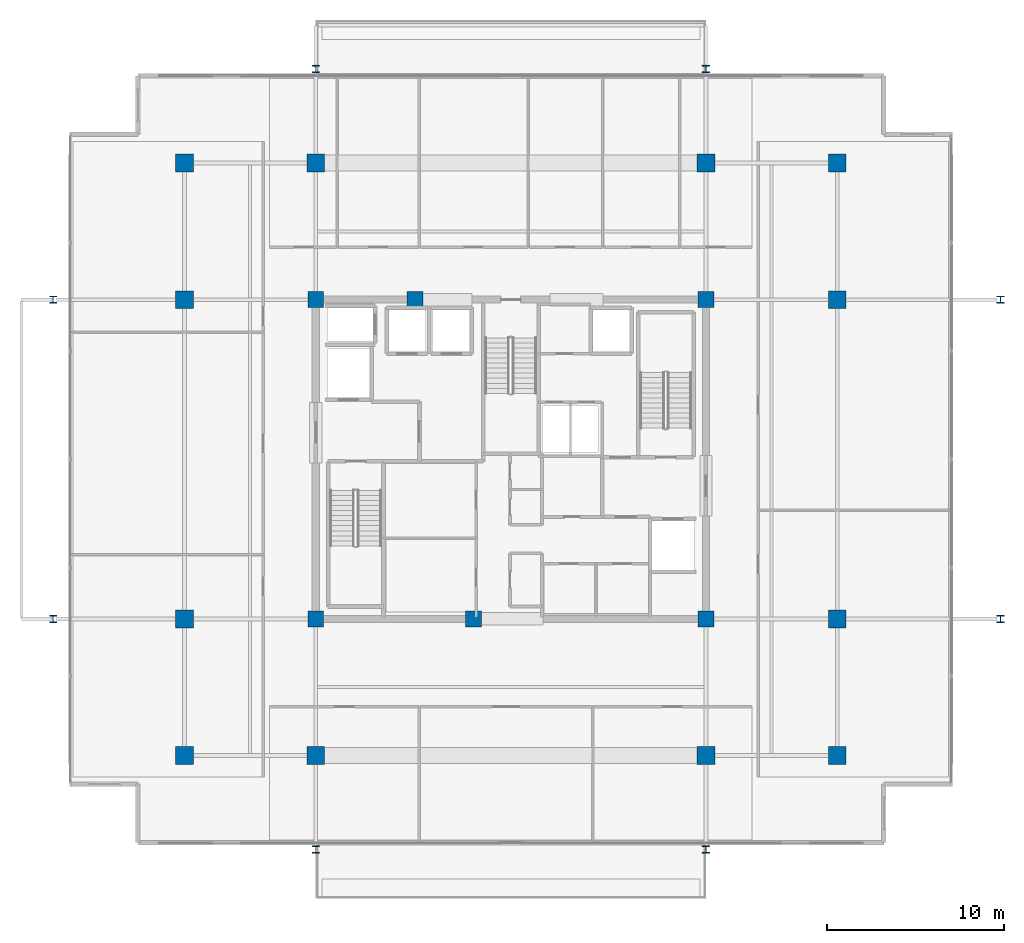
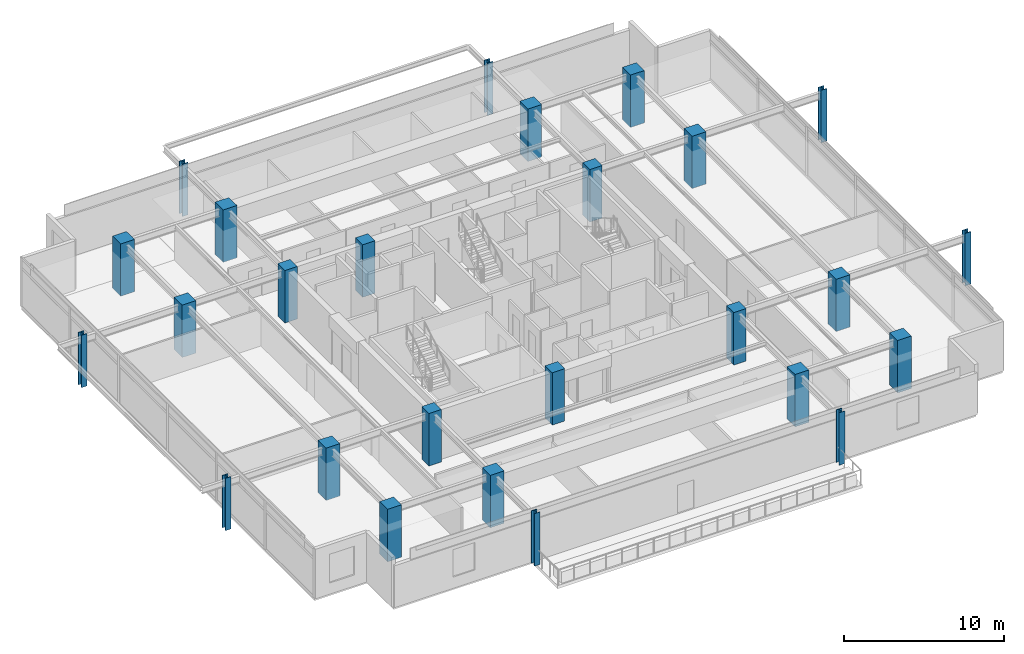
# One storey, part 1 of 21: 26 columns.
"""IFC4 building model written with IfcOpenShell, lengths in metres."""

from ifc_helpers import new_model, si_unit, direction, frame, origin, origin_2d, place, context, subcontext, project, spatial, rectangle, i_section, extrude, material, material_profile, profile_set, type_object, element, save


model = new_model("IFC4")

# Units and contexts
model_context = context("Model", 3, precision=1e-05, world=origin(), true_north=direction((0.0, 1.0)))
body_context = subcontext(model_context, "Body", "Model", "MODEL_VIEW")
ifc_project = project(units=[si_unit("LENGTHUNIT", "METRE"), si_unit("AREAUNIT", "SQUARE_METRE"), si_unit("VOLUMEUNIT", "CUBIC_METRE"), si_unit("PLANEANGLEUNIT", "RADIAN"), si_unit("MASSUNIT", "GRAM", prefix="KILO")], contexts=[model_context])

# Site, building, storey
site_placement = place(None, origin())
site = spatial("IfcSite", under=ifc_project, at=site_placement, CompositionType="ELEMENT")
building_placement = place(site_placement, origin())
building = spatial("IfcBuilding", under=site, at=building_placement, Name="Kovane Verandah Tower", CompositionType="ELEMENT")
storey_placement = place(building_placement, frame((0.0, 0.0, 326.800048828125)))
storey = spatial("IfcBuildingStorey", under=building, at=storey_placement, Name="L76", CompositionType="ELEMENT", Elevation=326.800048828125)

# Columns
ifc_material_1 = material(Name="Concrete C60/75", Category="concrete")
ifc_material_profile_1 = material_profile(ifc_material_1, rectangle(XDim=1.0, YDim=1.0, at=origin_2d()), Name="RC1000x1000")
ifc_profile_set_1 = profile_set([ifc_material_profile_1], Name="Concrete C60/75")
column_type_1 = type_object("IfcColumnType", Name="COL-RC1000", PredefinedType="COLUMN", material=ifc_profile_set_1)
for number, where, z_axis, x_axis, name in (
    (1, (29.0, 10.800048828125, 0.0), (0.0, 0.0, 1.0), (1.0, 0.0, 0.0), "L76 Tower Mega-Column MC-S1"),
    (2, (51.0, 10.800048828125, 0.0), (0.0, 0.0, 1.0), (1.0, 0.0, 0.0), "L76 Tower Mega-Column MC-S2"),
    (3, (29.0, 44.199951171875, 0.0), (0.0, 0.0, 1.0), (1.0, 0.0, 0.0), "L76 Tower Mega-Column MC-N1"),
    (4, (51.0, 44.199951171875, 0.0), (0.0, 0.0, 1.0), (1.0, 0.0, 0.0), "L76 Tower Mega-Column MC-N2"),
    (5, (21.60009765625, 18.5, 0.0), (0.0, 0.0, 1.0), (1.0, 0.0, 0.0), "L76 Tower Mega-Column MC-W1"),
    (6, (21.60009765625, 36.5, 0.0), (0.0, 0.0, 1.0), (1.0, 0.0, 0.0), "L76 Tower Mega-Column MC-W2"),
    (7, (58.39990234375, 18.5, 0.0), (0.0, 0.0, 1.0), (1.0, 0.0, 0.0), "L76 Tower Mega-Column MC-E1"),
    (8, (58.39990234375, 36.5, 0.0), (0.0, 0.0, 1.0), (1.0, 0.0, 0.0), "L76 Tower Mega-Column MC-E2"),
    (9, (21.60009765625, 10.800048828125, 0.0), (0.0, 0.0, 1.0), (1.0, 0.0, 0.0), "L76 Tower Mega-Column MC-SW"),
    (10, (58.39990234375, 10.800048828125, 0.0), (0.0, 0.0, 1.0), (1.0, 0.0, 0.0), "L76 Tower Mega-Column MC-SE"),
    (11, (21.60009765625, 44.199951171875, 0.0), (0.0, 0.0, 1.0), (1.0, 0.0, 0.0), "L76 Tower Mega-Column MC-NW"),
    (12, (58.39990234375, 44.199951171875, 0.0), (0.0, 0.0, 1.0), (1.0, 0.0, 0.0), "L76 Tower Mega-Column MC-NE"),
):
    element("IfcColumn", number, at=place(storey_placement, frame(where, z_axis=z_axis, x_axis=x_axis)), inside=storey, type_object=column_type_1, Name=name, PredefinedType="COLUMN", context=body_context, shape_type="SweptSolid", body=[
        extrude(rectangle(XDim=1.0, YDim=1.0, at=origin_2d()), origin(), (0.0, 0.0, 1.0), 4.0),
    ])
ifc_material_2 = material(Name="Steel S460", Category="steel")
ifc_material_profile_2 = material_profile(ifc_material_2, i_section(OverallWidth=0.403076171875, OverallDepth=0.406494140625, WebThickness=0.026611328125, FlangeThickness=0.04296875, FilletRadius=0.01513671875, at=origin_2d()), Name="UC356x406x340")
ifc_profile_set_2 = profile_set([ifc_material_profile_2], Name="Steel S460")
column_type_2 = type_object("IfcColumnType", Name="COL-UC340", PredefinedType="COLUMN", material=ifc_profile_set_2)
for number, where, z_axis, x_axis, name in (
    (13, (14.199951171875, 18.5, 0.0), (0.0, 0.0, 1.0), (1.0, 0.0, 0.0), "L76 Verandah Perimeter Column VC-W1"),
    (14, (14.199951171875, 36.5, 0.0), (0.0, 0.0, 1.0), (1.0, 0.0, 0.0), "L76 Verandah Perimeter Column VC-W2"),
    (15, (67.60009765625, 18.5, 0.0), (0.0, 0.0, 1.0), (1.0, 0.0, 0.0), "L76 Verandah Perimeter Column VC-E1"),
    (16, (67.60009765625, 36.5, 0.0), (0.0, 0.0, 1.0), (1.0, 0.0, 0.0), "L76 Verandah Perimeter Column VC-E2"),
    (17, (29.0, 5.5, 0.0), (0.0, 0.0, 1.0), (1.0, 0.0, 0.0), "L76 Verandah Perimeter Column VC-S1"),
    (18, (51.0, 5.5, 0.0), (0.0, 0.0, 1.0), (1.0, 0.0, 0.0), "L76 Verandah Perimeter Column VC-S2"),
    (19, (29.0, 49.5, 0.0), (0.0, 0.0, 1.0), (1.0, 0.0, 0.0), "L76 Verandah Perimeter Column VC-N1"),
    (20, (51.0, 49.5, 0.0), (0.0, 0.0, 1.0), (1.0, 0.0, 0.0), "L76 Verandah Perimeter Column VC-N2"),
):
    element("IfcColumn", number, at=place(storey_placement, frame(where, z_axis=z_axis, x_axis=x_axis)), inside=storey, type_object=column_type_2, Name=name, PredefinedType="COLUMN", context=body_context, shape_type="SweptSolid", body=[
        extrude(i_section(OverallWidth=0.403076171875, OverallDepth=0.406494140625, WebThickness=0.026611328125, FlangeThickness=0.04296875, FilletRadius=0.01513671875, at=origin_2d()), origin(), (0.0, 0.0, 1.0), 4.0),
    ])
ifc_material_profile_3 = material_profile(ifc_material_1, rectangle(XDim=0.89990234375, YDim=0.89990234375, at=origin_2d()), Name="RC900x900")
ifc_profile_set_3 = profile_set([ifc_material_profile_3], Name="Concrete C60/75")
column_type_3 = type_object("IfcColumnType", Name="PIL-RC900", PredefinedType="PILASTER", material=ifc_profile_set_3)
for number, where, z_axis, x_axis, name in (
    (21, (29.0, 18.5, 0.0), (0.0, 0.0, 1.0), (1.0, 0.0, 0.0), "L76 Core Pilaster CP-SW"),
    (22, (51.0, 18.5, 0.0), (0.0, 0.0, 1.0), (1.0, 0.0, 0.0), "L76 Core Pilaster CP-SE"),
    (23, (29.0, 36.5, 0.0), (0.0, 0.0, 1.0), (1.0, 0.0, 0.0), "L76 Core Pilaster CP-NW"),
    (24, (51.0, 36.5, 0.0), (0.0, 0.0, 1.0), (1.0, 0.0, 0.0), "L76 Core Pilaster CP-NE"),
    (25, (37.89990234375, 18.5, 0.0), (0.0, 0.0, 1.0), (1.0, 0.0, 0.0), "L76 Core Pilaster CP-S"),
    (26, (34.60009765625, 36.5, 0.0), (0.0, 0.0, 1.0), (1.0, 0.0, 0.0), "L76 Core Pilaster CP-N"),
):
    element("IfcColumn", number, at=place(storey_placement, frame(where, z_axis=z_axis, x_axis=x_axis)), inside=storey, type_object=column_type_3, Name=name, PredefinedType="PILASTER", context=body_context, shape_type="SweptSolid", body=[
        extrude(rectangle(XDim=0.89990234375, YDim=0.89990234375, at=origin_2d()), origin(), (0.0, 0.0, 1.0), 4.0),
    ])

save(model, "model.ifc")
